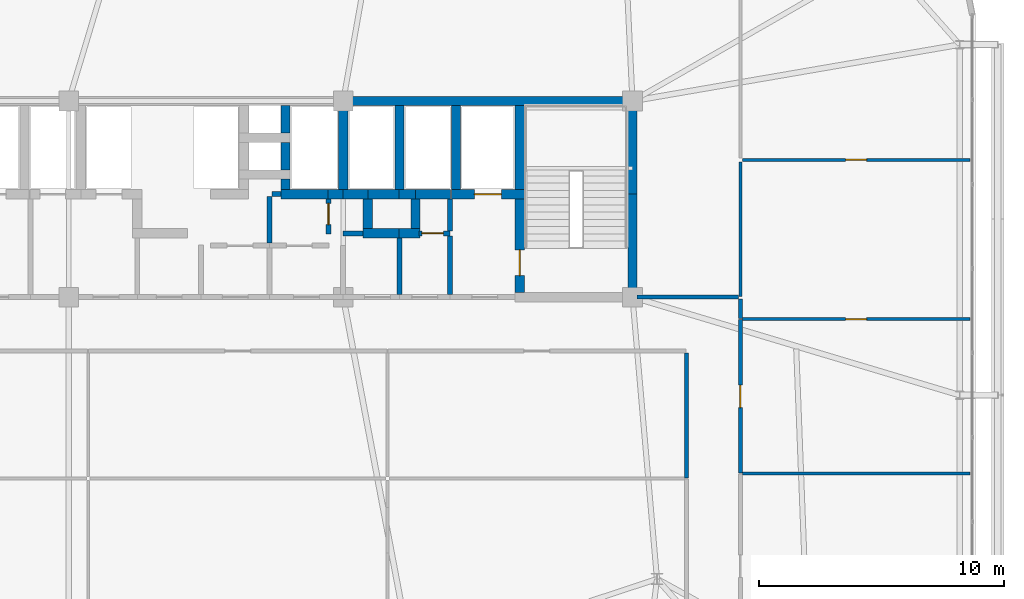
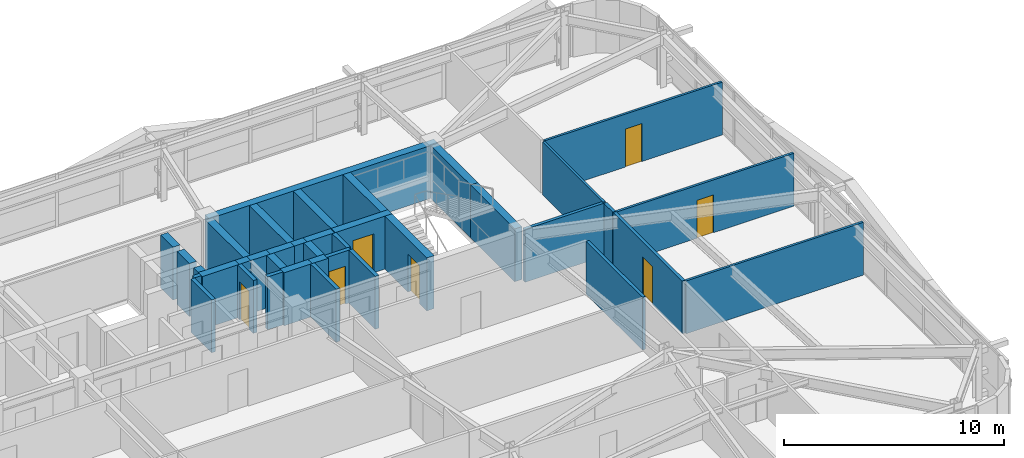
# One storey, part 55 of 59: 38 walls, 7 doors, 7 openings.
"""IFC4 building model written with IfcOpenShell, lengths in metres."""

from ifc_helpers import new_model, si_unit, direction, frame, frame_2d, origin, place, context, subcontext, project, spatial, rectangle, extrude, source, transform, mapped, material, layer, layer_set, type_object, element, fill, save


model = new_model("IFC4")

# Units and contexts
model_context = context("Model", 3, precision=1e-05, world=origin(), true_north=direction((0.0, 1.0)))
body_context = subcontext(model_context, "Body", "Model", "MODEL_VIEW")
ifc_project = project(units=[si_unit("LENGTHUNIT", "METRE"), si_unit("AREAUNIT", "SQUARE_METRE"), si_unit("VOLUMEUNIT", "CUBIC_METRE"), si_unit("PLANEANGLEUNIT", "RADIAN"), si_unit("MASSUNIT", "GRAM", prefix="KILO")], contexts=[model_context])

# Site, building, storey
site_placement = place(None, origin())
site = spatial("IfcSite", under=ifc_project, at=site_placement, CompositionType="ELEMENT")
building_placement = place(site_placement, origin())
building = spatial("IfcBuilding", under=site, at=building_placement, Name="Taldren Reach Tower", CompositionType="ELEMENT")
storey_placement = place(building_placement, frame((0.0, 0.0, 48.300048828125)))
storey = spatial("IfcBuildingStorey", under=building, at=storey_placement, Name="L14", CompositionType="ELEMENT", Elevation=48.300048828125)

# Walls
ifc_material_1 = material(Name="Concrete S80 (80 MPa)", Category="concrete")
ifc_layer_1 = layer(ifc_material_1, 0.3798828125)
ifc_layer_set_1 = layer_set([ifc_layer_1], Name="Concrete S80 (80 MPa)")
wall_type_1 = type_object("IfcWallType", Name="IW-CORE-380", PredefinedType="SHEAR", material=ifc_layer_set_1)
shared_shape_1 = source(origin(), body_context, "Body", "SweptSolid", [
    extrude(rectangle(XDim=11.989990234375, YDim=0.3798828125, at=frame_2d((5.9951171875, 0.0))), origin(), (0.0, 0.0, 1.0), 2.929931640625),
])
wall_1_placement = place(storey_placement, frame((39.199951171875, 32.0, 0.0), z_axis=(0.0, 0.0, 1.0), x_axis=(1.0, 0.0, 0.0)))
element("IfcWall", 1, at=wall_1_placement, inside=storey, type_object=wall_type_1, Name="Rear Core Shear Wall W-CORE-L14-NORTH3", PredefinedType="SHEAR", context=body_context, shape_type="MappedRepresentation", body=[
    mapped(shared_shape_1, transform((0.0, 0.0, 0.0), scale=1.0)),
])
shared_shape_2 = source(origin(), body_context, "Body", "SweptSolid", [
    extrude(rectangle(XDim=4.010009765625, YDim=0.3798828125, at=frame_2d((2.0048828125, 0.0))), origin(), (0.0, 0.0, 1.0), 2.929931640625),
])
wall_2_placement = place(storey_placement, frame((51.0, 24.18994140625, 0.0), z_axis=(0.0, 0.0, 1.0), x_axis=(0.0, 1.0, 0.0)))
element("IfcWall", 2, at=wall_2_placement, inside=storey, type_object=wall_type_1, Name="Rear Core Shear Wall W-CORE-L14-EAST1", PredefinedType="SHEAR", context=body_context, shape_type="MappedRepresentation", body=[
    mapped(shared_shape_2, transform((0.0, 0.0, 0.0), scale=1.0)),
])
shared_shape_3 = source(origin(), body_context, "Body", "SweptSolid", [
    extrude(rectangle(XDim=3.610107421875, YDim=0.3798828125, at=frame_2d((1.80517578125, 0.0))), origin(), (0.0, 0.0, 1.0), 2.929931640625),
])
wall_3_placement = place(storey_placement, frame((51.0, 28.199951171875, 0.0), z_axis=(0.0, 0.0, 1.0), x_axis=(0.0, 1.0, 0.0)))
element("IfcWall", 3, at=wall_3_placement, inside=storey, type_object=wall_type_1, Name="Rear Core Shear Wall W-CORE-L14-EAST2", PredefinedType="SHEAR", context=body_context, shape_type="MappedRepresentation", body=[
    mapped(shared_shape_3, transform((0.0, 0.0, 0.0), scale=1.0)),
])
shared_shape_4 = source(origin(), body_context, "Body", "SweptSolid", [
    extrude(rectangle(XDim=3.420166015625, YDim=0.3798828125, at=frame_2d((1.7099609375, 0.0))), origin(), (0.0, 0.0, 1.0), 2.929931640625),
])
for number, where, z_axis, x_axis, name in (
    (4, (46.39990234375, 31.81005859375, 0.0), (0.0, 0.0, 1.0), (0.0, -1.0, 0.0), "Rear Core Shear Wall W-INT-L14-008"),
    (5, (43.800048828125, 31.81005859375, 0.0), (0.0, 0.0, 1.0), (0.0, -1.0, 0.0), "Rear Core Shear Wall W-INT-L14-012"),
    (6, (39.199951171875, 28.389892578125, 0.0), (0.0, 0.0, 1.0), (0.0, 1.0, 0.0), "Rear Core Shear Wall W-INT-L14-037"),
    (7, (41.5, 28.389892578125, 0.0), (0.0, 0.0, 1.0), (0.0, 1.0, 0.0), "Rear Core Shear Wall W-INT-L14-041"),
):
    element("IfcWall", number, at=place(storey_placement, frame(where, z_axis=z_axis, x_axis=x_axis)), inside=storey, type_object=wall_type_1, Name=name, PredefinedType="SHEAR", context=body_context, shape_type="MappedRepresentation", body=[
        mapped(shared_shape_4, transform((0.0, 0.0, 0.0), scale=1.0)),
    ])

# Wall, opening, door
shared_shape_5 = source(origin(), body_context, "Body", "SweptSolid", [
    extrude(rectangle(XDim=3.820068359375, YDim=0.3798828125, at=frame_2d((1.91015625, 0.0))), origin(), (0.0, 0.0, 1.0), 2.929931640625),
])
wall_4_placement = place(storey_placement, frame((46.39990234375, 28.010009765625, 0.0), z_axis=(0.0, 0.0, 1.0), x_axis=(0.0, -1.0, 0.0)))
wall_4 = element("IfcWall", 8, at=wall_4_placement, inside=storey, type_object=wall_type_1, Name="Rear Core Shear Wall W-INT-L14-009", PredefinedType="SHEAR", context=body_context, shape_type="MappedRepresentation", body=[
    mapped(shared_shape_5, transform((0.0, 0.0, 0.0), scale=1.0)),
])
shared_shape_6 = source(origin(), body_context, "Body", "SweptSolid", [
    extrude(rectangle(XDim=1.050048828125, YDim=2.10009765625, at=frame_2d((0.52490234375, 1.050048828125))), frame((0.0, 0.199951171875, 0.0), z_axis=(0.0, -1.0, 0.0), x_axis=(1.0, 0.0, 0.0)), (0.0, 0.0, 1.0), 0.39990234375),
])
opening_1_placement = place(wall_4_placement, frame((2.0849609375, 0.0, 0.0)))
opening_1 = element("IfcOpeningElement", 9, at=opening_1_placement, cuts=wall_4, Name="Opening DF-105", PredefinedType="OPENING", context=body_context, shape_type="MappedRepresentation", body=[
    mapped(shared_shape_6, transform((0.0, 0.0, 0.0), scale=1.0)),
])
ifc_material_2 = material(Name="Fire-Rated Care and Stair Exit Door")
door_type_1 = type_object("IfcDoorType", Name="ID-FIRE-105", OperationType="NOTDEFINED", PredefinedType="DOOR", material=ifc_material_2)
shared_shape_7 = source(origin(), body_context, "Body", "SweptSolid", [
    extrude(rectangle(XDim=1.050048828125, YDim=2.10009765625, at=frame_2d((0.52490234375, 1.050048828125))), frame((0.0, 0.02490234375, 0.0), z_axis=(0.0, -1.0, 0.0), x_axis=(1.0, 0.0, 0.0)), (0.0, 0.0, 1.0), 0.050048828125),
])
door_1_placement = place(opening_1_placement, origin())
door_1 = element("IfcDoor", 10, at=door_1_placement, inside=storey, type_object=door_type_1, Name="Fire Exit Stair Door DR-L14-003", OperationType="SINGLE_SWING_RIGHT", OverallHeight=2.10009765625, OverallWidth=1.050048828125, PredefinedType="DOOR", context=body_context, shape_type="MappedRepresentation", body=[
    mapped(shared_shape_7, transform((0.0, 0.0, 0.0), scale=1.0)),
])
fill(opening_1, door_1)

shared_shape_8 = source(origin(), body_context, "Body", "SweptSolid", [
    extrude(rectangle(XDim=2.97998046875, YDim=0.3798828125, at=frame_2d((1.489990234375, 0.0))), origin(), (0.0, 0.0, 1.0), 2.929931640625),
])
wall_5_placement = place(storey_placement, frame((43.610107421875, 28.199951171875, 0.0), z_axis=(0.0, 0.0, 1.0), x_axis=(1.0, 0.0, 0.0)))
wall_5 = element("IfcWall", 11, at=wall_5_placement, inside=storey, type_object=wall_type_1, Name="Rear Core Shear Wall W-INT-L14-011", PredefinedType="SHEAR", context=body_context, shape_type="MappedRepresentation", body=[
    mapped(shared_shape_8, transform((0.0, 0.0, 0.0), scale=1.0)),
])
shared_shape_9 = source(origin(), body_context, "Body", "SweptSolid", [
    extrude(rectangle(XDim=1.10009765625, YDim=2.14990234375, at=frame_2d((0.550048828125, 1.074951171875))), frame((0.0, 0.199951171875, 0.0), z_axis=(0.0, -1.0, 0.0), x_axis=(1.0, 0.0, 0.0)), (0.0, 0.0, 1.0), 0.39990234375),
])
opening_2_placement = place(wall_5_placement, frame((0.93994140625, 0.0, 0.0)))
opening_2 = element("IfcOpeningElement", 12, at=opening_2_placement, cuts=wall_5, Name="Opening LD-FL2", PredefinedType="OPENING", context=body_context, shape_type="MappedRepresentation", body=[
    mapped(shared_shape_9, transform((0.0, 0.0, 0.0), scale=1.0)),
])
ifc_material_3 = material(Name="Stainless Steel Gr 316 Emergency Lift Landing Door", Category="steel")
door_type_2 = type_object("IfcDoorType", Name="LD-EMG-110", OperationType="SLIDING_TO_LEFT", PredefinedType="DOOR", material=ifc_material_3)
shared_shape_10 = source(origin(), body_context, "Body", "SweptSolid", [
    extrude(rectangle(XDim=1.10009765625, YDim=2.14990234375, at=frame_2d((0.550048828125, 1.074951171875))), frame((0.0, 0.02490234375, 0.0), z_axis=(0.0, -1.0, 0.0), x_axis=(1.0, 0.0, 0.0)), (0.0, 0.0, 1.0), 0.050048828125),
])
door_2_placement = place(opening_2_placement, origin())
door_2 = element("IfcDoor", 13, at=door_2_placement, inside=storey, type_object=door_type_2, Name="Lift Landing Door LD-FL2-L14", OperationType="SLIDING_TO_LEFT", OverallHeight=2.14990234375, OverallWidth=1.10009765625, PredefinedType="DOOR", context=body_context, shape_type="MappedRepresentation", body=[
    mapped(shared_shape_10, transform((0.0, 0.0, 0.0), scale=1.0)),
])
fill(opening_2, door_2)

# Walls
shared_shape_11 = source(origin(), body_context, "Body", "SweptSolid", [
    extrude(rectangle(XDim=1.1201171875, YDim=0.3798828125, at=frame_2d((0.56005859375, 0.0))), origin(), (0.0, 0.0, 1.0), 2.929931640625),
])
for number, where, z_axis, x_axis, name in (
    (14, (36.85009765625, 30.68994140625, 0.0), (0.0, 0.0, 1.0), (0.0, 1.0, 0.0), "Rear Core Shear Wall W-INT-L14-018"),
    (15, (36.85009765625, 29.18994140625, 0.0), (0.0, 0.0, 1.0), (0.0, 1.0, 0.0), "Rear Core Shear Wall W-INT-L14-020"),
):
    element("IfcWall", number, at=place(storey_placement, frame(where, z_axis=z_axis, x_axis=x_axis)), inside=storey, type_object=wall_type_1, Name=name, PredefinedType="SHEAR", context=body_context, shape_type="MappedRepresentation", body=[
        mapped(shared_shape_11, transform((0.0, 0.0, 0.0), scale=1.0)),
    ])
shared_shape_12 = source(origin(), body_context, "Body", "SweptSolid", [
    extrude(rectangle(XDim=1.219970703125, YDim=0.3798828125, at=frame_2d((0.60986328125, 0.0))), origin(), (0.0, 0.0, 1.0), 2.929931640625),
])
for number, where, z_axis, x_axis, name in (
    (16, (40.199951171875, 28.010009765625, 0.0), (0.0, 0.0, 1.0), (0.0, -1.0, 0.0), "Rear Core Shear Wall W-INT-L14-027"),
    (17, (42.14990234375, 26.7900390625, 0.0), (0.0, 0.0, 1.0), (0.0, 1.0, 0.0), "Rear Core Shear Wall W-INT-L14-029"),
):
    element("IfcWall", number, at=place(storey_placement, frame(where, z_axis=z_axis, x_axis=x_axis)), inside=storey, type_object=wall_type_1, Name=name, PredefinedType="SHEAR", context=body_context, shape_type="MappedRepresentation", body=[
        mapped(shared_shape_12, transform((0.0, 0.0, 0.0), scale=1.0)),
    ])
shared_shape_13 = source(origin(), body_context, "Body", "SweptSolid", [
    extrude(rectangle(XDim=1.320068359375, YDim=0.3798828125, at=frame_2d((0.66015625, 0.0))), origin(), (0.0, 0.0, 1.0), 2.929931640625),
])
wall_6_placement = place(storey_placement, frame((41.52001953125, 28.199951171875, 0.0), z_axis=(0.0, 0.0, 1.0), x_axis=(-1.0, 0.0, 0.0)))
element("IfcWall", 18, at=wall_6_placement, inside=storey, type_object=wall_type_1, Name="Rear Core Shear Wall W-INT-L14-024", PredefinedType="SHEAR", context=body_context, shape_type="MappedRepresentation", body=[
    mapped(shared_shape_13, transform((0.0, 0.0, 0.0), scale=1.0)),
])
shared_shape_14 = source(origin(), body_context, "Body", "SweptSolid", [
    extrude(rectangle(XDim=0.669921875, YDim=0.3798828125, at=frame_2d((0.3349609375, 0.0))), origin(), (0.0, 0.0, 1.0), 2.929931640625),
])
wall_7_placement = place(storey_placement, frame((42.14990234375, 28.199951171875, 0.0), z_axis=(0.0, 0.0, 1.0), x_axis=(-1.0, 0.0, 0.0)))
element("IfcWall", 19, at=wall_7_placement, inside=storey, type_object=wall_type_1, Name="Rear Core Shear Wall W-INT-L14-025", PredefinedType="SHEAR", context=body_context, shape_type="MappedRepresentation", body=[
    mapped(shared_shape_14, transform((0.0, 0.0, 0.0), scale=1.0)),
])
ifc_material_4 = material(Name="Concrete S50 (50 MPa)", Category="concrete")
ifc_layer_2 = layer(ifc_material_4, 0.199951171875)
ifc_layer_set_2 = layer_set([ifc_layer_2], Name="Concrete S50 (50 MPa)")
wall_type_2 = type_object("IfcWallType", Name="IW-CORE-200", PredefinedType="SOLIDWALL", material=ifc_layer_set_2)
shared_shape_15 = source(origin(), body_context, "Body", "SweptSolid", [
    extrude(rectangle(XDim=2.309814453125, YDim=0.199951171875, at=frame_2d((1.15478515625, 0.0))), origin(), (0.0, 0.0, 1.0), 2.929931640625),
])
wall_8_placement = place(storey_placement, frame((41.5, 26.409912109375, 0.0), z_axis=(0.0, 0.0, 1.0), x_axis=(0.0, -1.0, 0.0)))
element("IfcWall", 20, at=wall_8_placement, inside=storey, type_object=wall_type_2, Name="Rear Core Shear Wall W-INT-L14-056", PredefinedType="SOLIDWALL", context=body_context, shape_type="MappedRepresentation", body=[
    mapped(shared_shape_15, transform((0.0, 0.0, 0.0), scale=1.0)),
])
shared_shape_16 = source(origin(), body_context, "Body", "SweptSolid", [
    extrude(rectangle(XDim=0.420166015625, YDim=0.3798828125, at=frame_2d((0.2099609375, 0.0))), origin(), (0.0, 0.0, 1.0), 2.929931640625),
])
wall_9_placement = place(storey_placement, frame((36.85009765625, 28.81005859375, 0.0), z_axis=(0.0, 0.0, 1.0), x_axis=(0.0, -1.0, 0.0)))
element("IfcWall", 21, at=wall_9_placement, inside=storey, type_object=wall_type_1, Name="Rear Core Shear Wall W-INT-L14-038", PredefinedType="SHEAR", context=body_context, shape_type="MappedRepresentation", body=[
    mapped(shared_shape_16, transform((0.0, 0.0, 0.0), scale=1.0)),
])
shared_shape_17 = source(origin(), body_context, "Body", "SweptSolid", [
    extrude(rectangle(XDim=1.02001953125, YDim=0.3798828125, at=frame_2d((0.510009765625, 0.0))), origin(), (0.0, 0.0, 1.0), 2.929931640625),
])
wall_10_placement = place(storey_placement, frame((39.199951171875, 28.199951171875, 0.0), z_axis=(0.0, 0.0, 1.0), x_axis=(1.0, 0.0, 0.0)))
element("IfcWall", 22, at=wall_10_placement, inside=storey, type_object=wall_type_1, Name="Rear Core Shear Wall W-INT-L14-042", PredefinedType="SHEAR", context=body_context, shape_type="MappedRepresentation", body=[
    mapped(shared_shape_17, transform((0.0, 0.0, 0.0), scale=1.0)),
])
shared_shape_18 = source(origin(), body_context, "Body", "SweptSolid", [
    extrude(rectangle(XDim=1.440185546875, YDim=0.3798828125, at=frame_2d((0.72021484375, 0.0))), origin(), (0.0, 0.0, 1.0), 2.929931640625),
])
wall_11_placement = place(storey_placement, frame((42.1298828125, 28.199951171875, 0.0), z_axis=(0.0, 0.0, 1.0), x_axis=(1.0, 0.0, 0.0)))
element("IfcWall", 23, at=wall_11_placement, inside=storey, type_object=wall_type_1, Name="Rear Core Shear Wall W-INT-L14-043", PredefinedType="SHEAR", context=body_context, shape_type="MappedRepresentation", body=[
    mapped(shared_shape_18, transform((0.0, 0.0, 0.0), scale=1.0)),
])
ifc_material_5 = material(Name="Fire-Rated Acoustic Plasterboard Stud Wall", Category="gypsum")
ifc_layer_3 = layer(ifc_material_5, 0.159912109375)
ifc_layer_set_3 = layer_set([ifc_layer_3], Name="Fire-Rated Acoustic Plasterboard Stud Wall")
wall_type_3 = type_object("IfcWallType", Name="IW-FIRE-160", PredefinedType="PARTITIONING", material=ifc_layer_set_3)
shared_shape_19 = source(origin(), body_context, "Body", "SweptSolid", [
    extrude(rectangle(XDim=4.130126953125, YDim=0.159912109375, at=frame_2d((2.06494140625, 0.0))), origin(), (0.0, 0.0, 1.0), 2.929931640625),
])
wall_12_placement = place(storey_placement, frame((51.18994140625, 24.0, 0.0), z_axis=(0.0, 0.0, 1.0), x_axis=(1.0, 0.0, 0.0)))
element("IfcWall", 24, at=wall_12_placement, inside=storey, type_object=wall_type_3, Name="Interior Partition Wall W-INT-L14-076", PredefinedType="PARTITIONING", context=body_context, shape_type="MappedRepresentation", body=[
    mapped(shared_shape_19, transform((0.0, 0.0, 0.0), scale=1.0)),
])
shared_shape_20 = source(origin(), body_context, "Body", "SweptSolid", [
    extrude(rectangle(XDim=5.099853515625, YDim=0.159912109375, at=frame_2d((2.5498046875, 0.0))), origin(), (0.0, 0.0, 1.0), 2.929931640625),
])
wall_13_placement = place(storey_placement, frame((53.199951171875, 16.6201171875, 0.0), z_axis=(0.0, 0.0, 1.0), x_axis=(0.0, 1.0, 0.0)))
element("IfcWall", 25, at=wall_13_placement, inside=storey, type_object=wall_type_3, Name="Interior Partition Wall W-INT-L14-066", PredefinedType="PARTITIONING", context=body_context, shape_type="MappedRepresentation", body=[
    mapped(shared_shape_20, transform((0.0, 0.0, 0.0), scale=1.0)),
])
ifc_material_6 = material(Name="Insulated Residential Stud Partition", Category="gypsum")
ifc_layer_4 = layer(ifc_material_6, 0.1201171875)
ifc_layer_set_4 = layer_set([ifc_layer_4], Name="Insulated Residential Stud Partition")
wall_type_4 = type_object("IfcWallType", Name="IW-PART-120", PredefinedType="PARTITIONING", material=ifc_layer_set_4)
shared_shape_21 = source(origin(), body_context, "Body", "SweptSolid", [
    extrude(rectangle(XDim=9.2900390625, YDim=0.1201171875, at=frame_2d((4.64501953125, 0.0))), origin(), (0.0, 0.0, 1.0), 2.929931640625),
])
wall_14_placement = place(storey_placement, frame((55.47998046875, 16.800048828125, 0.0), z_axis=(0.0, 0.0, 1.0), x_axis=(1.0, 0.0, 0.0)))
element("IfcWall", 26, at=wall_14_placement, inside=storey, type_object=wall_type_4, Name="Interior Partition Wall W-INT-L14-122", PredefinedType="PARTITIONING", context=body_context, shape_type="MappedRepresentation", body=[
    mapped(shared_shape_21, transform((0.0, 0.0, 0.0), scale=1.0)),
])

# Wall, opening, door
wall_15_placement = place(storey_placement, frame((55.47998046875, 23.10009765625, 0.0), z_axis=(0.0, 0.0, 1.0), x_axis=(1.0, 0.0, 0.0)))
wall_15 = element("IfcWall", 27, at=wall_15_placement, inside=storey, type_object=wall_type_4, Name="Interior Partition Wall W-INT-L14-123", PredefinedType="PARTITIONING", context=body_context, shape_type="MappedRepresentation", body=[
    mapped(shared_shape_21, transform((0.0, 0.0, 0.0), scale=1.0)),
])
shared_shape_22 = source(origin(), body_context, "Body", "SweptSolid", [
    extrude(rectangle(XDim=0.860107421875, YDim=2.10009765625, at=frame_2d((0.43017578125, 1.050048828125))), frame((0.0, 0.070068359375, 0.0), z_axis=(0.0, -1.0, 0.0), x_axis=(1.0, 0.0, 0.0)), (0.0, 0.0, 1.0), 0.14013671875),
])
opening_3_placement = place(wall_15_placement, frame((4.215087890625, 0.0, 0.0)))
opening_3 = element("IfcOpeningElement", 28, at=opening_3_placement, cuts=wall_15, Name="Opening DI-086", PredefinedType="OPENING", context=body_context, shape_type="MappedRepresentation", body=[
    mapped(shared_shape_22, transform((0.0, 0.0, 0.0), scale=1.0)),
])
ifc_material_7 = material(Name="Timber Bathroom Door", Category="wood")
door_type_3 = type_object("IfcDoorType", Name="ID-INT-086", OperationType="NOTDEFINED", PredefinedType="DOOR", material=ifc_material_7)
shared_shape_23 = source(origin(), body_context, "Body", "SweptSolid", [
    extrude(rectangle(XDim=0.860107421875, YDim=2.10009765625, at=frame_2d((0.43017578125, 1.050048828125))), frame((0.0, 0.02490234375, 0.0), z_axis=(0.0, -1.0, 0.0), x_axis=(1.0, 0.0, 0.0)), (0.0, 0.0, 1.0), 0.050048828125),
])
door_3_placement = place(opening_3_placement, frame((0.860107421875, 0.0, 0.0), z_axis=(0.0, 0.0, 1.0), x_axis=(-1.0, 0.0, 0.0)))
door_3 = element("IfcDoor", 29, at=door_3_placement, inside=storey, type_object=door_type_3, Name="Interior Door DR-L14-038", OperationType="SINGLE_SWING_RIGHT", OverallHeight=2.10009765625, OverallWidth=0.860107421875, PredefinedType="DOOR", context=body_context, shape_type="MappedRepresentation", body=[
    mapped(shared_shape_23, transform((0.0, 0.0, 0.0), scale=1.0)),
])
fill(opening_3, door_3)

wall_16_placement = place(storey_placement, frame((55.47998046875, 29.60009765625, 0.0), z_axis=(0.0, 0.0, 1.0), x_axis=(1.0, 0.0, 0.0)))
wall_16 = element("IfcWall", 30, at=wall_16_placement, inside=storey, type_object=wall_type_4, Name="Interior Partition Wall W-INT-L14-124", PredefinedType="PARTITIONING", context=body_context, shape_type="MappedRepresentation", body=[
    mapped(shared_shape_21, transform((0.0, 0.0, 0.0), scale=1.0)),
])
opening_4_placement = place(wall_16_placement, frame((4.215087890625, 0.0, 0.0)))
opening_4 = element("IfcOpeningElement", 31, at=opening_4_placement, cuts=wall_16, Name="Opening DI-086", PredefinedType="OPENING", context=body_context, shape_type="MappedRepresentation", body=[
    mapped(shared_shape_22, transform((0.0, 0.0, 0.0), scale=1.0)),
])
door_4_placement = place(opening_4_placement, frame((0.860107421875, 0.0, 0.0), z_axis=(0.0, 0.0, 1.0), x_axis=(-1.0, 0.0, 0.0)))
door_4 = element("IfcDoor", 32, at=door_4_placement, inside=storey, type_object=door_type_3, Name="Interior Door DR-L14-039", OperationType="SINGLE_SWING_LEFT", OverallHeight=2.10009765625, OverallWidth=0.860107421875, PredefinedType="DOOR", context=body_context, shape_type="MappedRepresentation", body=[
    mapped(shared_shape_23, transform((0.0, 0.0, 0.0), scale=1.0)),
])
fill(opening_4, door_4)

# Walls
shared_shape_24 = source(origin(), body_context, "Body", "SweptSolid", [
    extrude(rectangle(XDim=2.39990234375, YDim=0.199951171875, at=frame_2d((1.199951171875, 0.0))), origin(), (0.0, 0.0, 1.0), 2.929931640625),
])
wall_17_placement = place(storey_placement, frame((43.550048828125, 26.5, 0.0), z_axis=(0.0, 0.0, 1.0), x_axis=(0.0, -1.0, 0.0)))
element("IfcWall", 33, at=wall_17_placement, inside=storey, type_object=wall_type_2, Name="Rear Core Shear Wall W-INT-L14-013", PredefinedType="SOLIDWALL", context=body_context, shape_type="MappedRepresentation", body=[
    mapped(shared_shape_24, transform((0.0, 0.0, 0.0), scale=1.0)),
])
shared_shape_25 = source(origin(), body_context, "Body", "SweptSolid", [
    extrude(rectangle(XDim=1.31005859375, YDim=0.199951171875, at=frame_2d((0.655029296875, 0.0))), origin(), (0.0, 0.0, 1.0), 2.929931640625),
])
wall_18_placement = place(storey_placement, frame((43.550048828125, 28.010009765625, 0.0), z_axis=(0.0, 0.0, 1.0), x_axis=(0.0, -1.0, 0.0)))
element("IfcWall", 34, at=wall_18_placement, inside=storey, type_object=wall_type_2, Name="Rear Core Shear Wall W-INT-L14-014", PredefinedType="SOLIDWALL", context=body_context, shape_type="MappedRepresentation", body=[
    mapped(shared_shape_25, transform((0.0, 0.0, 0.0), scale=1.0)),
])
shared_shape_26 = source(origin(), body_context, "Body", "SweptSolid", [
    extrude(rectangle(XDim=1.510009765625, YDim=0.3798828125, at=frame_2d((0.7548828125, 0.0))), origin(), (0.0, 0.0, 1.0), 2.929931640625),
])
wall_19_placement = place(storey_placement, frame((40.010009765625, 26.60009765625, 0.0), z_axis=(0.0, 0.0, 1.0), x_axis=(1.0, 0.0, 0.0)))
element("IfcWall", 35, at=wall_19_placement, inside=storey, type_object=wall_type_1, Name="Rear Core Shear Wall W-INT-L14-026", PredefinedType="SHEAR", context=body_context, shape_type="MappedRepresentation", body=[
    mapped(shared_shape_26, transform((0.0, 0.0, 0.0), scale=1.0)),
])
shared_shape_27 = source(origin(), body_context, "Body", "SweptSolid", [
    extrude(rectangle(XDim=0.860107421875, YDim=0.3798828125, at=frame_2d((0.43017578125, 0.0))), origin(), (0.0, 0.0, 1.0), 2.929931640625),
])
wall_20_placement = place(storey_placement, frame((41.47998046875, 26.60009765625, 0.0), z_axis=(0.0, 0.0, 1.0), x_axis=(1.0, 0.0, 0.0)))
element("IfcWall", 36, at=wall_20_placement, inside=storey, type_object=wall_type_1, Name="Rear Core Shear Wall W-INT-L14-028", PredefinedType="SHEAR", context=body_context, shape_type="MappedRepresentation", body=[
    mapped(shared_shape_27, transform((0.0, 0.0, 0.0), scale=1.0)),
])
shared_shape_28 = source(origin(), body_context, "Body", "SweptSolid", [
    extrude(rectangle(XDim=1.960205078125, YDim=0.3798828125, at=frame_2d((0.97998046875, 0.0))), origin(), (0.0, 0.0, 1.0), 2.929931640625),
])
wall_21_placement = place(storey_placement, frame((36.659912109375, 28.199951171875, 0.0), z_axis=(0.0, 0.0, 1.0), x_axis=(1.0, 0.0, 0.0)))
element("IfcWall", 37, at=wall_21_placement, inside=storey, type_object=wall_type_1, Name="Rear Core Shear Wall W-INT-L14-039", PredefinedType="SHEAR", context=body_context, shape_type="MappedRepresentation", body=[
    mapped(shared_shape_28, transform((0.0, 0.0, 0.0), scale=1.0)),
])
shared_shape_29 = source(origin(), body_context, "Body", "SweptSolid", [
    extrude(rectangle(XDim=0.619873046875, YDim=0.3798828125, at=frame_2d((0.31005859375, 0.0))), origin(), (0.0, 0.0, 1.0), 2.929931640625),
])
wall_22_placement = place(storey_placement, frame((38.580078125, 28.199951171875, 0.0), z_axis=(0.0, 0.0, 1.0), x_axis=(1.0, 0.0, 0.0)))
element("IfcWall", 38, at=wall_22_placement, inside=storey, type_object=wall_type_1, Name="Rear Core Shear Wall W-INT-L14-040", PredefinedType="SHEAR", context=body_context, shape_type="MappedRepresentation", body=[
    mapped(shared_shape_29, transform((0.0, 0.0, 0.0), scale=1.0)),
])
shared_shape_30 = source(origin(), body_context, "Body", "SweptSolid", [
    extrude(rectangle(XDim=1.900146484375, YDim=0.199951171875, at=frame_2d((0.9501953125, 0.0))), origin(), (0.0, 0.0, 1.0), 2.929931640625),
])
wall_23_placement = place(storey_placement, frame((36.199951171875, 28.10009765625, 0.0), z_axis=(0.0, 0.0, 1.0), x_axis=(0.0, -1.0, 0.0)))
element("IfcWall", 39, at=wall_23_placement, inside=storey, type_object=wall_type_2, Name="Rear Core Shear Wall W-INT-L14-049", PredefinedType="SOLIDWALL", context=body_context, shape_type="MappedRepresentation", body=[
    mapped(shared_shape_30, transform((0.0, 0.0, 0.0), scale=1.0)),
])
shared_shape_31 = source(origin(), body_context, "Body", "SweptSolid", [
    extrude(rectangle(XDim=0.35986328125, YDim=0.199951171875, at=frame_2d((0.179931640625, 0.0))), origin(), (0.0, 0.0, 1.0), 2.929931640625),
])
wall_24_placement = place(storey_placement, frame((36.659912109375, 28.199951171875, 0.0), z_axis=(0.0, 0.0, 1.0), x_axis=(-1.0, 0.0, 0.0)))
element("IfcWall", 40, at=wall_24_placement, inside=storey, type_object=wall_type_2, Name="Rear Core Shear Wall W-INT-L14-050", PredefinedType="SOLIDWALL", context=body_context, shape_type="MappedRepresentation", body=[
    mapped(shared_shape_31, transform((0.0, 0.0, 0.0), scale=1.0)),
])

# Wall, opening, door
shared_shape_32 = source(origin(), body_context, "Body", "SweptSolid", [
    extrude(rectangle(XDim=1.429931640625, YDim=0.199951171875, at=frame_2d((0.71484375, 0.0))), origin(), (0.0, 0.0, 1.0), 2.929931640625),
])
wall_25_placement = place(storey_placement, frame((38.60009765625, 28.010009765625, 0.0), z_axis=(0.0, 0.0, 1.0), x_axis=(0.0, -1.0, 0.0)))
wall_25 = element("IfcWall", 41, at=wall_25_placement, inside=storey, type_object=wall_type_2, Name="Rear Core Shear Wall W-INT-L14-054", PredefinedType="SOLIDWALL", context=body_context, shape_type="MappedRepresentation", body=[
    mapped(shared_shape_32, transform((0.0, 0.0, 0.0), scale=1.0)),
])
shared_shape_33 = source(origin(), body_context, "Body", "SweptSolid", [
    extrude(rectangle(XDim=0.860107421875, YDim=2.10009765625, at=frame_2d((0.43017578125, 1.050048828125))), frame((0.0, 0.10986328125, 0.0), z_axis=(0.0, -1.0, 0.0), x_axis=(1.0, 0.0, 0.0)), (0.0, 0.0, 1.0), 0.219970703125),
])
opening_5_placement = place(wall_25_placement, frame((0.18994140625, 0.0, 0.0)))
opening_5 = element("IfcOpeningElement", 42, at=opening_5_placement, cuts=wall_25, Name="Opening DI-086", PredefinedType="OPENING", context=body_context, shape_type="MappedRepresentation", body=[
    mapped(shared_shape_33, transform((0.0, 0.0, 0.0), scale=1.0)),
])
door_5_placement = place(opening_5_placement, origin())
door_5 = element("IfcDoor", 43, at=door_5_placement, inside=storey, type_object=door_type_3, Name="Interior Door DR-L14-035", OperationType="SINGLE_SWING_RIGHT", OverallHeight=2.10009765625, OverallWidth=0.860107421875, PredefinedType="DOOR", context=body_context, shape_type="MappedRepresentation", body=[
    mapped(shared_shape_23, transform((0.0, 0.0, 0.0), scale=1.0)),
])
fill(opening_5, door_5)

# Wall
shared_shape_34 = source(origin(), body_context, "Body", "SweptSolid", [
    extrude(rectangle(XDim=0.81005859375, YDim=0.199951171875, at=frame_2d((0.405029296875, 0.0))), origin(), (0.0, 0.0, 1.0), 2.929931640625),
])
wall_26_placement = place(storey_placement, frame((39.199951171875, 26.60009765625, 0.0), z_axis=(0.0, 0.0, 1.0), x_axis=(1.0, 0.0, 0.0)))
element("IfcWall", 44, at=wall_26_placement, inside=storey, type_object=wall_type_2, Name="Rear Core Shear Wall W-INT-L14-055", PredefinedType="SOLIDWALL", context=body_context, shape_type="MappedRepresentation", body=[
    mapped(shared_shape_34, transform((0.0, 0.0, 0.0), scale=1.0)),
])

# Wall, opening, door
shared_shape_35 = source(origin(), body_context, "Body", "SweptSolid", [
    extrude(rectangle(XDim=1.25, YDim=0.199951171875, at=frame_2d((0.625, 0.0))), origin(), (0.0, 0.0, 1.0), 2.929931640625),
])
wall_27_placement = place(storey_placement, frame((42.300048828125, 26.60009765625, 0.0), z_axis=(0.0, 0.0, 1.0), x_axis=(1.0, 0.0, 0.0)))
wall_27 = element("IfcWall", 45, at=wall_27_placement, inside=storey, type_object=wall_type_2, Name="Rear Core Shear Wall W-INT-L14-058", PredefinedType="SOLIDWALL", context=body_context, shape_type="MappedRepresentation", body=[
    mapped(shared_shape_35, transform((0.0, 0.0, 0.0), scale=1.0)),
])
shared_shape_36 = source(origin(), body_context, "Body", "SweptSolid", [
    extrude(rectangle(XDim=0.8798828125, YDim=2.10009765625, at=frame_2d((0.43994140625, 1.050048828125))), frame((0.0, 0.10986328125, 0.0), z_axis=(0.0, -1.0, 0.0), x_axis=(1.0, 0.0, 0.0)), (0.0, 0.0, 1.0), 0.219970703125),
])
opening_6_placement = place(wall_27_placement, frame((0.110107421875, 0.0, 0.0)))
opening_6 = element("IfcOpeningElement", 46, at=opening_6_placement, cuts=wall_27, Name="Opening DF-088", PredefinedType="OPENING", context=body_context, shape_type="MappedRepresentation", body=[
    mapped(shared_shape_36, transform((0.0, 0.0, 0.0), scale=1.0)),
])
ifc_material_8 = material(Name="Fire-Rated Service Closet Door")
door_type_4 = type_object("IfcDoorType", Name="ID-FIRE-088", OperationType="NOTDEFINED", PredefinedType="DOOR", material=ifc_material_8)
shared_shape_37 = source(origin(), body_context, "Body", "SweptSolid", [
    extrude(rectangle(XDim=0.8798828125, YDim=2.10009765625, at=frame_2d((0.43994140625, 1.050048828125))), frame((0.0, 0.02490234375, 0.0), z_axis=(0.0, -1.0, 0.0), x_axis=(1.0, 0.0, 0.0)), (0.0, 0.0, 1.0), 0.050048828125),
])
door_6_placement = place(opening_6_placement, origin())
door_6 = element("IfcDoor", 47, at=door_6_placement, inside=storey, type_object=door_type_4, Name="Interior Door DR-L14-012", OperationType="SINGLE_SWING_LEFT", OverallHeight=2.10009765625, OverallWidth=0.8798828125, PredefinedType="DOOR", context=body_context, shape_type="MappedRepresentation", body=[
    mapped(shared_shape_37, transform((0.0, 0.0, 0.0), scale=1.0)),
])
fill(opening_6, door_6)

shared_shape_38 = source(origin(), body_context, "Body", "SweptSolid", [
    extrude(rectangle(XDim=6.259521484375, YDim=0.159912109375, at=frame_2d((3.1298828125, 0.0))), origin(), (0.0, 0.0, 1.0), 2.929931640625),
])
wall_28_placement = place(storey_placement, frame((55.39990234375, 23.079833984375, 0.0), z_axis=(0.0, 0.0, 1.0), x_axis=(0.0, -1.0, 0.0)))
wall_28 = element("IfcWall", 48, at=wall_28_placement, inside=storey, type_object=wall_type_3, Name="Interior Partition Wall W-INT-L14-073", PredefinedType="PARTITIONING", context=body_context, shape_type="MappedRepresentation", body=[
    mapped(shared_shape_38, transform((0.0, 0.0, 0.0), scale=1.0)),
])
shared_shape_39 = source(origin(), body_context, "Body", "SweptSolid", [
    extrude(rectangle(XDim=0.919921875, YDim=2.10009765625, at=frame_2d((0.4599609375, 1.050048828125))), frame((0.0, 0.08984375, 0.0), z_axis=(0.0, -1.0, 0.0), x_axis=(1.0, 0.0, 0.0)), (0.0, 0.0, 1.0), 0.179931640625),
])
opening_7_placement = place(wall_28_placement, frame((2.669921875, 0.0, 0.0)))
opening_7 = element("IfcOpeningElement", 49, at=opening_7_placement, cuts=wall_28, Name="Opening DI-092", PredefinedType="OPENING", context=body_context, shape_type="MappedRepresentation", body=[
    mapped(shared_shape_39, transform((0.0, 0.0, 0.0), scale=1.0)),
])
ifc_material_9 = material(Name="Solid-Core Timber Suite Door", Category="wood")
door_type_5 = type_object("IfcDoorType", Name="ID-INT-092", OperationType="NOTDEFINED", PredefinedType="DOOR", material=ifc_material_9)
shared_shape_40 = source(origin(), body_context, "Body", "SweptSolid", [
    extrude(rectangle(XDim=0.919921875, YDim=2.10009765625, at=frame_2d((0.4599609375, 1.050048828125))), frame((0.0, 0.02490234375, 0.0), z_axis=(0.0, -1.0, 0.0), x_axis=(1.0, 0.0, 0.0)), (0.0, 0.0, 1.0), 0.050048828125),
])
door_7_placement = place(opening_7_placement, origin())
door_7 = element("IfcDoor", 50, at=door_7_placement, inside=storey, type_object=door_type_5, Name="Interior Door DR-L14-022", OperationType="SINGLE_SWING_LEFT", OverallHeight=2.10009765625, OverallWidth=0.919921875, PredefinedType="DOOR", context=body_context, shape_type="MappedRepresentation", body=[
    mapped(shared_shape_40, transform((0.0, 0.0, 0.0), scale=1.0)),
])
fill(opening_7, door_7)

# Walls
shared_shape_41 = source(origin(), body_context, "Body", "SweptSolid", [
    extrude(rectangle(XDim=0.7998046875, YDim=0.159912109375, at=frame_2d((0.39990234375, 0.0))), origin(), (0.0, 0.0, 1.0), 2.929931640625),
])
wall_29_placement = place(storey_placement, frame((55.39990234375, 23.919921875, 0.0), z_axis=(0.0, 0.0, 1.0), x_axis=(0.0, -1.0, 0.0)))
element("IfcWall", 51, at=wall_29_placement, inside=storey, type_object=wall_type_3, Name="Interior Partition Wall W-INT-L14-074", PredefinedType="PARTITIONING", context=body_context, shape_type="MappedRepresentation", body=[
    mapped(shared_shape_41, transform((0.0, 0.0, 0.0), scale=1.0)),
])
shared_shape_42 = source(origin(), body_context, "Body", "SweptSolid", [
    extrude(rectangle(XDim=5.499755859375, YDim=0.1201171875, at=frame_2d((2.75, 0.0))), origin(), (0.0, 0.0, 1.0), 2.929931640625),
])
wall_30_placement = place(storey_placement, frame((55.39990234375, 24.020263671875, 0.0), z_axis=(0.0, 0.0, 1.0), x_axis=(0.0, 1.0, 0.0)))
element("IfcWall", 52, at=wall_30_placement, inside=storey, type_object=wall_type_4, Name="Interior Partition Wall W-INT-L14-125", PredefinedType="PARTITIONING", context=body_context, shape_type="MappedRepresentation", body=[
    mapped(shared_shape_42, transform((0.0, 0.0, 0.0), scale=1.0)),
])

save(model, "model.ifc")
